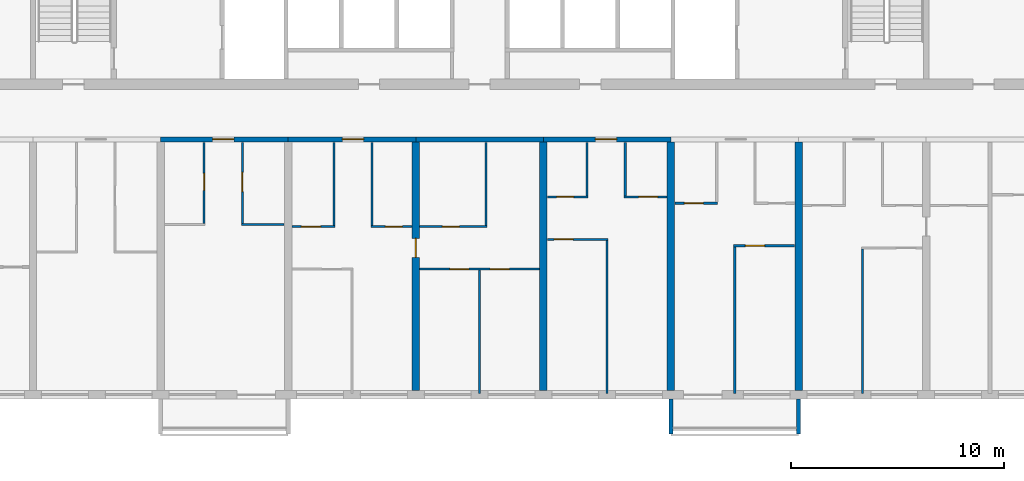
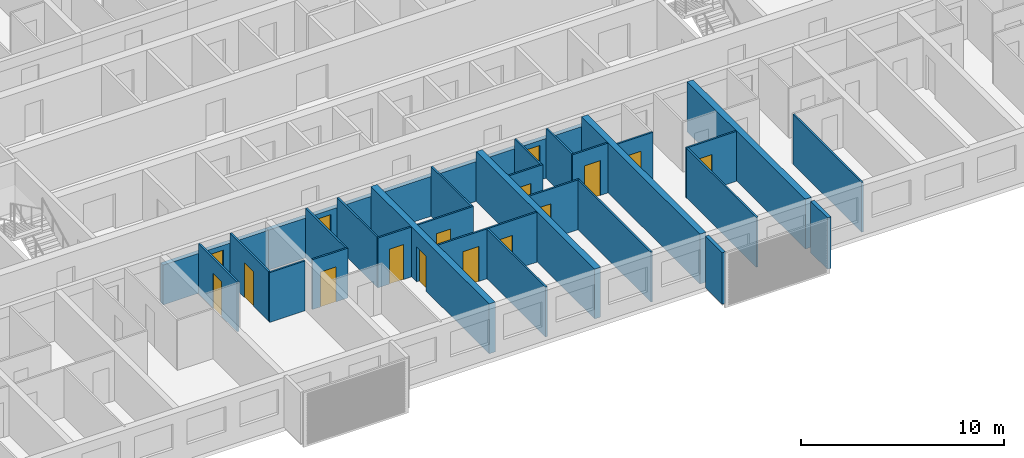
# One storey, part 5 of 24: 31 walls, 16 doors, 16 openings.
"""IFC4 building model written with IfcOpenShell, lengths in metres."""

from ifc_helpers import new_model, si_unit, direction, frame, frame_2d, origin, place, context, subcontext, project, spatial, polyline, rectangle, outline, extrude, source, transform, mapped, material, layer, layer_set, type_object, element, fill, save


model = new_model("IFC4")

# Units and contexts
model_context = context("Model", 3, precision=1e-05, world=origin(), true_north=direction((0.0, 1.0)))
body_context = subcontext(model_context, "Body", "Model", "MODEL_VIEW")
ifc_project = project(units=[si_unit("LENGTHUNIT", "METRE"), si_unit("AREAUNIT", "SQUARE_METRE"), si_unit("VOLUMEUNIT", "CUBIC_METRE"), si_unit("PLANEANGLEUNIT", "RADIAN"), si_unit("MASSUNIT", "GRAM", prefix="KILO")], contexts=[model_context])

# Site, building, storey
site_placement = place(None, origin())
site = spatial("IfcSite", under=ifc_project, at=site_placement, CompositionType="ELEMENT")
building_placement = place(site_placement, origin())
building = spatial("IfcBuilding", under=site, at=building_placement, Name="Poui Terraces", CompositionType="ELEMENT")
storey_placement = place(building_placement, frame((0.0, 0.0, 102.60009765625)))
storey = spatial("IfcBuildingStorey", under=building, at=storey_placement, Name="L28", CompositionType="ELEMENT", Elevation=102.60009765625)

# Wall, opening, door
ifc_material_1 = material(Name="Concrete 65 MPa", Category="concrete")
ifc_layer_1 = layer(ifc_material_1, 0.25)
ifc_layer_set_1 = layer_set([ifc_layer_1], Name="Concrete 65 MPa")
wall_type_1 = type_object("IfcWallType", Name="CORRIDOR WALL 250 65MPa", PredefinedType="SHEAR", material=ifc_layer_set_1)
wall_1_placement = place(storey_placement, frame((36.0, 12.0, 0.0), z_axis=(0.0, 0.0, 1.0), x_axis=(1.0, 0.0, 0.0)))
wall_1 = element("IfcWall", 1, at=wall_1_placement, inside=storey, type_object=wall_type_1, Name="CORRIDOR WALL LINE B BAY 6", PredefinedType="SHEAR", context=body_context, shape_type="SweptSolid", body=[
    extrude(rectangle(XDim=6.0, YDim=0.25, at=frame_2d((3.0, 0.0))), origin(), (0.0, 0.0, 1.0), 2.39990234375),
])
opening_1_placement = place(wall_1_placement, frame((2.449951171875, 0.0, 0.0)))
opening_1 = element("IfcOpeningElement", 2, at=opening_1_placement, cuts=wall_1, Name="Opening FD30S", PredefinedType="OPENING", context=body_context, shape_type="SweptSolid", body=[
    extrude(rectangle(XDim=1.0, YDim=2.10009765625, at=frame_2d((0.5, 1.050048828125))), frame((0.0, 0.135009765625, 0.0), z_axis=(0.0, -1.0, 0.0), x_axis=(1.0, 0.0, 0.0)), (0.0, 0.0, 1.0), 0.27001953125),
])
ifc_material_2 = material(Name="Steel fire door", Category="steel")
door_type_1 = type_object("IfcDoorType", Name="FLAT ENTRANCE DOOR 1000 X 2100", OperationType="NOTDEFINED", PredefinedType="DOOR", material=ifc_material_2)
door_1_placement = place(opening_1_placement, frame((1.0, 0.0, 0.0), z_axis=(0.0, 0.0, 1.0), x_axis=(-1.0, 0.0, 0.0)))
door_1 = element("IfcDoor", 3, at=door_1_placement, inside=storey, type_object=door_type_1, Name="FLAT ENTRANCE DOOR 097", OperationType="SINGLE_SWING_RIGHT", OverallHeight=2.10009765625, OverallWidth=1.0, PredefinedType="DOOR", context=body_context, shape_type="SweptSolid", body=[
    extrude(rectangle(XDim=1.0, YDim=2.10009765625, at=frame_2d((0.5, 1.050048828125))), frame((0.0, 0.02490234375, 0.0), z_axis=(0.0, -1.0, 0.0), x_axis=(1.0, 0.0, 0.0)), (0.0, 0.0, 1.0), 0.050048828125),
])
fill(opening_1, door_1)

wall_2_placement = place(storey_placement, frame((42.0, 12.0, 0.0), z_axis=(0.0, 0.0, 1.0), x_axis=(1.0, 0.0, 0.0)))
wall_2 = element("IfcWall", 4, at=wall_2_placement, inside=storey, type_object=wall_type_1, Name="CORRIDOR WALL LINE B BAY 7", PredefinedType="SHEAR", context=body_context, shape_type="SweptSolid", body=[
    extrude(rectangle(XDim=6.0, YDim=0.25, at=frame_2d((3.0, 0.0))), origin(), (0.0, 0.0, 1.0), 2.39990234375),
])
opening_2_placement = place(wall_2_placement, frame((2.550048828125, 0.0, 0.0)))
opening_2 = element("IfcOpeningElement", 5, at=opening_2_placement, cuts=wall_2, Name="Opening FD30S", PredefinedType="OPENING", context=body_context, shape_type="SweptSolid", body=[
    extrude(rectangle(XDim=1.0, YDim=2.10009765625, at=frame_2d((0.5, 1.050048828125))), frame((0.0, 0.135009765625, 0.0), z_axis=(0.0, -1.0, 0.0), x_axis=(1.0, 0.0, 0.0)), (0.0, 0.0, 1.0), 0.27001953125),
])
door_2_placement = place(opening_2_placement, frame((1.0, 0.0, 0.0), z_axis=(0.0, 0.0, 1.0), x_axis=(-1.0, 0.0, 0.0)))
door_2 = element("IfcDoor", 6, at=door_2_placement, inside=storey, type_object=door_type_1, Name="FLAT ENTRANCE DOOR 104", OperationType="SINGLE_SWING_LEFT", OverallHeight=2.10009765625, OverallWidth=1.0, PredefinedType="DOOR", context=body_context, shape_type="SweptSolid", body=[
    extrude(rectangle(XDim=1.0, YDim=2.10009765625, at=frame_2d((0.5, 1.050048828125))), frame((0.0, 0.02490234375, 0.0), z_axis=(0.0, -1.0, 0.0), x_axis=(1.0, 0.0, 0.0)), (0.0, 0.0, 1.0), 0.050048828125),
])
fill(opening_2, door_2)

# Wall
wall_3_placement = place(storey_placement, frame((48.0, 12.0, 0.0), z_axis=(0.0, 0.0, 1.0), x_axis=(1.0, 0.0, 0.0)))
element("IfcWall", 7, at=wall_3_placement, inside=storey, type_object=wall_type_1, Name="CORRIDOR WALL LINE B BAY 8", PredefinedType="SHEAR", context=body_context, shape_type="SweptSolid", body=[
    extrude(rectangle(XDim=6.0, YDim=0.25, at=frame_2d((3.0, 0.0))), origin(), (0.0, 0.0, 1.0), 2.39990234375),
])

# Wall, opening, door
wall_4_placement = place(storey_placement, frame((54.0, 12.0, 0.0), z_axis=(0.0, 0.0, 1.0), x_axis=(1.0, 0.0, 0.0)))
wall_4 = element("IfcWall", 8, at=wall_4_placement, inside=storey, type_object=wall_type_1, Name="CORRIDOR WALL LINE B BAY 9", PredefinedType="SHEAR", context=body_context, shape_type="SweptSolid", body=[
    extrude(rectangle(XDim=6.0, YDim=0.25, at=frame_2d((3.0, 0.0))), origin(), (0.0, 0.0, 1.0), 2.39990234375),
])
opening_3_placement = place(wall_4_placement, frame((2.449951171875, 0.0, 0.0)))
opening_3 = element("IfcOpeningElement", 9, at=opening_3_placement, cuts=wall_4, Name="Opening FD30S", PredefinedType="OPENING", context=body_context, shape_type="SweptSolid", body=[
    extrude(rectangle(XDim=1.0, YDim=2.10009765625, at=frame_2d((0.5, 1.050048828125))), frame((0.0, 0.135009765625, 0.0), z_axis=(0.0, -1.0, 0.0), x_axis=(1.0, 0.0, 0.0)), (0.0, 0.0, 1.0), 0.27001953125),
])
door_3_placement = place(opening_3_placement, frame((1.0, 0.0, 0.0), z_axis=(0.0, 0.0, 1.0), x_axis=(-1.0, 0.0, 0.0)))
door_3 = element("IfcDoor", 10, at=door_3_placement, inside=storey, type_object=door_type_1, Name="FLAT ENTRANCE DOOR 109", OperationType="SINGLE_SWING_RIGHT", OverallHeight=2.10009765625, OverallWidth=1.0, PredefinedType="DOOR", context=body_context, shape_type="SweptSolid", body=[
    extrude(rectangle(XDim=1.0, YDim=2.10009765625, at=frame_2d((0.5, 1.050048828125))), frame((0.0, 0.02490234375, 0.0), z_axis=(0.0, -1.0, 0.0), x_axis=(1.0, 0.0, 0.0)), (0.0, 0.0, 1.0), 0.050048828125),
])
fill(opening_3, door_3)

ifc_layer_2 = layer(ifc_material_1, 0.35009765625)
ifc_layer_set_2 = layer_set([ifc_layer_2], Name="Concrete 65 MPa")
wall_type_2 = type_object("IfcWallType", Name="CROSS WALL 350 65MPa", PredefinedType="SHEAR", material=ifc_layer_set_2)
wall_5_placement = place(storey_placement, frame((48.0, 0.199951171875, 0.0), z_axis=(0.0, 0.0, 1.0), x_axis=(0.0, 1.0, 0.0)))
wall_5 = element("IfcWall", 11, at=wall_5_placement, inside=storey, type_object=wall_type_2, Name="CROSS WALL LINE 9 SOUTH", PredefinedType="SHEAR", context=body_context, shape_type="SweptSolid", body=[
    extrude(rectangle(XDim=11.675048828125, YDim=0.35009765625, at=frame_2d((5.83740234375, 0.0))), origin(), (0.0, 0.0, 1.0), 3.0),
])
opening_4_placement = place(wall_5_placement, frame((6.25, 0.0, 0.0)))
opening_4 = element("IfcOpeningElement", 12, at=opening_4_placement, cuts=wall_5, Name="Opening D90", PredefinedType="OPENING", context=body_context, shape_type="SweptSolid", body=[
    extrude(rectangle(XDim=0.89990234375, YDim=2.10009765625, at=frame_2d((0.449951171875, 1.050048828125))), frame((0.0, 0.18505859375, 0.0), z_axis=(0.0, -1.0, 0.0), x_axis=(1.0, 0.0, 0.0)), (0.0, 0.0, 1.0), 0.3701171875),
])
ifc_material_3 = material(Name="Solid core timber door", Category="wood")
door_type_2 = type_object("IfcDoorType", Name="INTERNAL DOOR 900 X 2100", OperationType="NOTDEFINED", PredefinedType="DOOR", material=ifc_material_3)
door_4_placement = place(opening_4_placement, origin())
door_4 = element("IfcDoor", 13, at=door_4_placement, inside=storey, type_object=door_type_2, Name="INTERNAL DOOR 106", OperationType="SINGLE_SWING_RIGHT", OverallHeight=2.10009765625, OverallWidth=0.89990234375, PredefinedType="DOOR", context=body_context, shape_type="SweptSolid", body=[
    extrude(rectangle(XDim=0.89990234375, YDim=2.10009765625, at=frame_2d((0.449951171875, 1.050048828125))), frame((0.0, 0.02490234375, 0.0), z_axis=(0.0, -1.0, 0.0), x_axis=(1.0, 0.0, 0.0)), (0.0, 0.0, 1.0), 0.050048828125),
])
fill(opening_4, door_4)

# Walls
for number, where, z_axis, x_axis, name in (
    (14, (54.0, 0.199951171875, 0.0), (0.0, 0.0, 1.0), (0.0, 1.0, 0.0), "CROSS WALL LINE 10 SOUTH"),
    (15, (60.0, 0.199951171875, 0.0), (0.0, 0.0, 1.0), (0.0, 1.0, 0.0), "CROSS WALL LINE 11 SOUTH"),
    (16, (66.0, 0.199951171875, 0.0), (0.0, 0.0, 1.0), (0.0, 1.0, 0.0), "CROSS WALL LINE 12 SOUTH"),
):
    element("IfcWall", number, at=place(storey_placement, frame(where, z_axis=z_axis, x_axis=x_axis)), inside=storey, type_object=wall_type_2, Name=name, PredefinedType="SHEAR", context=body_context, shape_type="SweptSolid", body=[
        extrude(rectangle(XDim=11.675048828125, YDim=0.35009765625, at=frame_2d((5.83740234375, 0.0))), origin(), (0.0, 0.0, 1.0), 3.0),
    ])

# Wall, openings, doors
ifc_material_4 = material(Name="Plasterboard partition")
ifc_layer_3 = layer(ifc_material_4, 0.10009765625)
ifc_layer_set_3 = layer_set([ifc_layer_3], Name="Plasterboard partition")
wall_type_3 = type_object("IfcWallType", Name="FLAT PARTITION 100", PredefinedType="PARTITIONING", material=ifc_layer_set_3)
wall_6_placement = place(storey_placement, frame((48.18505859375, 5.89990234375, 0.0), z_axis=(0.0, 0.0, 1.0), x_axis=(1.0, 0.0, 0.0)))
wall_6 = element("IfcWall", 17, at=wall_6_placement, inside=storey, type_object=wall_type_3, Name="FLAT PARTITION 100", PredefinedType="PARTITIONING", context=body_context, shape_type="SweptSolid", body=[
    extrude(rectangle(XDim=5.6298828125, YDim=0.10009765625, at=frame_2d((2.81494140625, 0.0))), origin(), (0.0, 0.0, 1.0), 3.0),
])
opening_5_placement = place(wall_6_placement, frame((1.4150390625, 0.0, 0.0)))
opening_5 = element("IfcOpeningElement", 18, at=opening_5_placement, cuts=wall_6, Name="Opening D90", PredefinedType="OPENING", context=body_context, shape_type="SweptSolid", body=[
    extrude(rectangle(XDim=0.89990234375, YDim=2.10009765625, at=frame_2d((0.449951171875, 1.050048828125))), frame((0.0, 0.06005859375, 0.0), z_axis=(0.0, -1.0, 0.0), x_axis=(1.0, 0.0, 0.0)), (0.0, 0.0, 1.0), 0.1201171875),
])
opening_6_placement = place(wall_6_placement, frame((3.31494140625, 0.0, 0.0)))
opening_6 = element("IfcOpeningElement", 19, at=opening_6_placement, cuts=wall_6, Name="Opening D90", PredefinedType="OPENING", context=body_context, shape_type="SweptSolid", body=[
    extrude(rectangle(XDim=0.89990234375, YDim=2.10009765625, at=frame_2d((0.449951171875, 1.050048828125))), frame((0.0, 0.06005859375, 0.0), z_axis=(0.0, -1.0, 0.0), x_axis=(1.0, 0.0, 0.0)), (0.0, 0.0, 1.0), 0.1201171875),
])
door_5_placement = place(opening_5_placement, frame((0.89990234375, 0.0, 0.0), z_axis=(0.0, 0.0, 1.0), x_axis=(-1.0, 0.0, 0.0)))
door_5 = element("IfcDoor", 20, at=door_5_placement, inside=storey, type_object=door_type_2, Name="INTERNAL DOOR 100", OperationType="SINGLE_SWING_LEFT", OverallHeight=2.10009765625, OverallWidth=0.89990234375, PredefinedType="DOOR", context=body_context, shape_type="SweptSolid", body=[
    extrude(rectangle(XDim=0.89990234375, YDim=2.10009765625, at=frame_2d((0.449951171875, 1.050048828125))), frame((0.0, 0.02490234375, 0.0), z_axis=(0.0, -1.0, 0.0), x_axis=(1.0, 0.0, 0.0)), (0.0, 0.0, 1.0), 0.050048828125),
])
fill(opening_5, door_5)
door_6_placement = place(opening_6_placement, frame((0.89990234375, 0.0, 0.0), z_axis=(0.0, 0.0, 1.0), x_axis=(-1.0, 0.0, 0.0)))
door_6 = element("IfcDoor", 21, at=door_6_placement, inside=storey, type_object=door_type_2, Name="INTERNAL DOOR 101", OperationType="SINGLE_SWING_RIGHT", OverallHeight=2.10009765625, OverallWidth=0.89990234375, PredefinedType="DOOR", context=body_context, shape_type="SweptSolid", body=[
    extrude(rectangle(XDim=0.89990234375, YDim=2.10009765625, at=frame_2d((0.449951171875, 1.050048828125))), frame((0.0, 0.02490234375, 0.0), z_axis=(0.0, -1.0, 0.0), x_axis=(1.0, 0.0, 0.0)), (0.0, 0.0, 1.0), 0.050048828125),
])
fill(opening_6, door_6)

# Wall, opening, door
wall_7_placement = place(storey_placement, frame((62.949951171875, 7.0, 0.0), z_axis=(0.0, 0.0, 1.0), x_axis=(1.0, 0.0, 0.0)))
wall_7 = element("IfcWall", 22, at=wall_7_placement, inside=storey, type_object=wall_type_3, Name="FLAT PARTITION 100", PredefinedType="PARTITIONING", context=body_context, shape_type="SweptSolid", body=[
    extrude(rectangle(XDim=2.864990234375, YDim=0.10009765625, at=frame_2d((1.4326171875, 0.0))), origin(), (0.0, 0.0, 1.0), 3.0),
])
opening_7_placement = place(wall_7_placement, frame((0.550048828125, 0.0, 0.0)))
opening_7 = element("IfcOpeningElement", 23, at=opening_7_placement, cuts=wall_7, Name="Opening D90", PredefinedType="OPENING", context=body_context, shape_type="SweptSolid", body=[
    extrude(rectangle(XDim=0.89990234375, YDim=2.10009765625, at=frame_2d((0.449951171875, 1.050048828125))), frame((0.0, 0.06005859375, 0.0), z_axis=(0.0, -1.0, 0.0), x_axis=(1.0, 0.0, 0.0)), (0.0, 0.0, 1.0), 0.1201171875),
])
door_7_placement = place(opening_7_placement, origin())
door_7 = element("IfcDoor", 24, at=door_7_placement, inside=storey, type_object=door_type_2, Name="INTERNAL DOOR 113", OperationType="SINGLE_SWING_RIGHT", OverallHeight=2.10009765625, OverallWidth=0.89990234375, PredefinedType="DOOR", context=body_context, shape_type="SweptSolid", body=[
    extrude(rectangle(XDim=0.89990234375, YDim=2.10009765625, at=frame_2d((0.449951171875, 1.050048828125))), frame((0.0, 0.02490234375, 0.0), z_axis=(0.0, -1.0, 0.0), x_axis=(1.0, 0.0, 0.0)), (0.0, 0.0, 1.0), 0.050048828125),
])
fill(opening_7, door_7)

wall_8_placement = place(storey_placement, frame((54.18505859375, 7.300048828125, 0.0), z_axis=(0.0, 0.0, 1.0), x_axis=(1.0, 0.0, 0.0)))
wall_8 = element("IfcWall", 25, at=wall_8_placement, inside=storey, type_object=wall_type_3, Name="FLAT PARTITION 100", PredefinedType="PARTITIONING", context=body_context, shape_type="SweptSolid", body=[
    extrude(rectangle(XDim=2.864990234375, YDim=0.10009765625, at=frame_2d((1.4326171875, 0.0))), origin(), (0.0, 0.0, 1.0), 3.0),
])
opening_8_placement = place(wall_8_placement, frame((0.31494140625, 0.0, 0.0)))
opening_8 = element("IfcOpeningElement", 26, at=opening_8_placement, cuts=wall_8, Name="Opening D90", PredefinedType="OPENING", context=body_context, shape_type="SweptSolid", body=[
    extrude(rectangle(XDim=0.89990234375, YDim=2.10009765625, at=frame_2d((0.449951171875, 1.050048828125))), frame((0.0, 0.06005859375, 0.0), z_axis=(0.0, -1.0, 0.0), x_axis=(1.0, 0.0, 0.0)), (0.0, 0.0, 1.0), 0.1201171875),
])
door_8_placement = place(opening_8_placement, origin())
door_8 = element("IfcDoor", 27, at=door_8_placement, inside=storey, type_object=door_type_2, Name="INTERNAL DOOR 107", OperationType="SINGLE_SWING_RIGHT", OverallHeight=2.10009765625, OverallWidth=0.89990234375, PredefinedType="DOOR", context=body_context, shape_type="SweptSolid", body=[
    extrude(rectangle(XDim=0.89990234375, YDim=2.10009765625, at=frame_2d((0.449951171875, 1.050048828125))), frame((0.0, 0.02490234375, 0.0), z_axis=(0.0, -1.0, 0.0), x_axis=(1.0, 0.0, 0.0)), (0.0, 0.0, 1.0), 0.050048828125),
])
fill(opening_8, door_8)

wall_9_placement = place(storey_placement, frame((42.18505859375, 7.89990234375, 0.0), z_axis=(0.0, 0.0, 1.0), x_axis=(1.0, 0.0, 0.0)))
wall_9 = element("IfcWall", 28, at=wall_9_placement, inside=storey, type_object=wall_type_3, Name="FLAT PARTITION 100", PredefinedType="PARTITIONING", context=body_context, shape_type="SweptSolid", body=[
    extrude(rectangle(XDim=2.014892578125, YDim=0.10009765625, at=frame_2d((1.00732421875, 0.0))), origin(), (0.0, 0.0, 1.0), 3.0),
])
opening_9_placement = place(wall_9_placement, frame((0.43994140625, 0.0, 0.0)))
opening_9 = element("IfcOpeningElement", 29, at=opening_9_placement, cuts=wall_9, Name="Opening D90", PredefinedType="OPENING", context=body_context, shape_type="SweptSolid", body=[
    extrude(rectangle(XDim=0.89990234375, YDim=2.10009765625, at=frame_2d((0.449951171875, 1.050048828125))), frame((0.0, 0.06005859375, 0.0), z_axis=(0.0, -1.0, 0.0), x_axis=(1.0, 0.0, 0.0)), (0.0, 0.0, 1.0), 0.1201171875),
])
door_9_placement = place(opening_9_placement, origin())
door_9 = element("IfcDoor", 30, at=door_9_placement, inside=storey, type_object=door_type_2, Name="INTERNAL DOOR 102", OperationType="SINGLE_SWING_RIGHT", OverallHeight=2.10009765625, OverallWidth=0.89990234375, PredefinedType="DOOR", context=body_context, shape_type="SweptSolid", body=[
    extrude(rectangle(XDim=0.89990234375, YDim=2.10009765625, at=frame_2d((0.449951171875, 1.050048828125))), frame((0.0, 0.02490234375, 0.0), z_axis=(0.0, -1.0, 0.0), x_axis=(1.0, 0.0, 0.0)), (0.0, 0.0, 1.0), 0.050048828125),
])
fill(opening_9, door_9)

wall_10_placement = place(storey_placement, frame((45.89990234375, 7.89990234375, 0.0), z_axis=(0.0, 0.0, 1.0), x_axis=(1.0, 0.0, 0.0)))
wall_10 = element("IfcWall", 31, at=wall_10_placement, inside=storey, type_object=wall_type_3, Name="FLAT PARTITION 100", PredefinedType="PARTITIONING", context=body_context, shape_type="SweptSolid", body=[
    extrude(rectangle(XDim=1.9150390625, YDim=0.10009765625, at=frame_2d((0.95751953125, 0.0))), origin(), (0.0, 0.0, 1.0), 3.0),
])
opening_10_placement = place(wall_10_placement, frame((0.675048828125, 0.0, 0.0)))
opening_10 = element("IfcOpeningElement", 32, at=opening_10_placement, cuts=wall_10, Name="Opening D80", PredefinedType="OPENING", context=body_context, shape_type="SweptSolid", body=[
    extrude(rectangle(XDim=0.800048828125, YDim=2.10009765625, at=frame_2d((0.39990234375, 1.050048828125))), frame((0.0, 0.06005859375, 0.0), z_axis=(0.0, -1.0, 0.0), x_axis=(1.0, 0.0, 0.0)), (0.0, 0.0, 1.0), 0.1201171875),
])
door_type_3 = type_object("IfcDoorType", Name="BATHROOM, LAUNDRY AND STORE DOOR 800 X 2100", OperationType="NOTDEFINED", PredefinedType="DOOR", material=ifc_material_3)
door_10_placement = place(opening_10_placement, origin())
door_10 = element("IfcDoor", 33, at=door_10_placement, inside=storey, type_object=door_type_3, Name="BATHROOM, LAUNDRY AND STORE DOOR 105", OperationType="SINGLE_SWING_LEFT", OverallHeight=2.10009765625, OverallWidth=0.800048828125, PredefinedType="DOOR", context=body_context, shape_type="SweptSolid", body=[
    extrude(rectangle(XDim=0.800048828125, YDim=2.10009765625, at=frame_2d((0.39990234375, 1.050048828125))), frame((0.0, 0.02490234375, 0.0), z_axis=(0.0, -1.0, 0.0), x_axis=(1.0, 0.0, 0.0)), (0.0, 0.0, 1.0), 0.050048828125),
])
fill(opening_10, door_10)

wall_11_placement = place(storey_placement, frame((48.18505859375, 7.89990234375, 0.0), z_axis=(0.0, 0.0, 1.0), x_axis=(1.0, 0.0, 0.0)))
wall_11 = element("IfcWall", 34, at=wall_11_placement, inside=storey, type_object=wall_type_3, Name="FLAT PARTITION 100", PredefinedType="PARTITIONING", context=body_context, shape_type="SweptSolid", body=[
    extrude(rectangle(XDim=3.1650390625, YDim=0.10009765625, at=frame_2d((1.58251953125, 0.0))), origin(), (0.0, 0.0, 1.0), 3.0),
])
opening_11_placement = place(wall_11_placement, frame((1.06494140625, 0.0, 0.0)))
opening_11 = element("IfcOpeningElement", 35, at=opening_11_placement, cuts=wall_11, Name="Opening D80", PredefinedType="OPENING", context=body_context, shape_type="SweptSolid", body=[
    extrude(rectangle(XDim=0.800048828125, YDim=2.10009765625, at=frame_2d((0.39990234375, 1.050048828125))), frame((0.0, 0.06005859375, 0.0), z_axis=(0.0, -1.0, 0.0), x_axis=(1.0, 0.0, 0.0)), (0.0, 0.0, 1.0), 0.1201171875),
])
door_11_placement = place(opening_11_placement, frame((0.800048828125, 0.0, 0.0), z_axis=(0.0, 0.0, 1.0), x_axis=(-1.0, 0.0, 0.0)))
door_11 = element("IfcDoor", 36, at=door_11_placement, inside=storey, type_object=door_type_3, Name="BATHROOM, LAUNDRY AND STORE DOOR 099", OperationType="SINGLE_SWING_RIGHT", OverallHeight=2.10009765625, OverallWidth=0.800048828125, PredefinedType="DOOR", context=body_context, shape_type="SweptSolid", body=[
    extrude(rectangle(XDim=0.800048828125, YDim=2.10009765625, at=frame_2d((0.39990234375, 1.050048828125))), frame((0.0, 0.02490234375, 0.0), z_axis=(0.0, -1.0, 0.0), x_axis=(1.0, 0.0, 0.0)), (0.0, 0.0, 1.0), 0.050048828125),
])
fill(opening_11, door_11)

# Wall
wall_12_placement = place(storey_placement, frame((39.800048828125, 8.0, 0.0), z_axis=(0.0, 0.0, 1.0), x_axis=(1.0, 0.0, 0.0)))
element("IfcWall", 37, at=wall_12_placement, inside=storey, type_object=wall_type_3, Name="FLAT PARTITION 100", PredefinedType="PARTITIONING", context=body_context, shape_type="SweptSolid", body=[
    extrude(rectangle(XDim=2.014892578125, YDim=0.10009765625, at=frame_2d((1.00732421875, 0.0))), origin(), (0.0, 0.0, 1.0), 3.0),
])

# Wall, opening, door
wall_13_placement = place(storey_placement, frame((60.18505859375, 9.0, 0.0), z_axis=(0.0, 0.0, 1.0), x_axis=(1.0, 0.0, 0.0)))
wall_13 = element("IfcWall", 38, at=wall_13_placement, inside=storey, type_object=wall_type_3, Name="FLAT PARTITION 100", PredefinedType="PARTITIONING", context=body_context, shape_type="SweptSolid", body=[
    extrude(rectangle(XDim=2.014892578125, YDim=0.10009765625, at=frame_2d((1.00732421875, 0.0))), origin(), (0.0, 0.0, 1.0), 3.0),
])
opening_12_placement = place(wall_13_placement, frame((0.43994140625, 0.0, 0.0)))
opening_12 = element("IfcOpeningElement", 39, at=opening_12_placement, cuts=wall_13, Name="Opening D90", PredefinedType="OPENING", context=body_context, shape_type="SweptSolid", body=[
    extrude(rectangle(XDim=0.89990234375, YDim=2.10009765625, at=frame_2d((0.449951171875, 1.050048828125))), frame((0.0, 0.06005859375, 0.0), z_axis=(0.0, -1.0, 0.0), x_axis=(1.0, 0.0, 0.0)), (0.0, 0.0, 1.0), 0.1201171875),
])
door_12_placement = place(opening_12_placement, origin())
door_12 = element("IfcDoor", 40, at=door_12_placement, inside=storey, type_object=door_type_2, Name="INTERNAL DOOR 111", OperationType="SINGLE_SWING_RIGHT", OverallHeight=2.10009765625, OverallWidth=0.89990234375, PredefinedType="DOOR", context=body_context, shape_type="SweptSolid", body=[
    extrude(rectangle(XDim=0.89990234375, YDim=2.10009765625, at=frame_2d((0.449951171875, 1.050048828125))), frame((0.0, 0.02490234375, 0.0), z_axis=(0.0, -1.0, 0.0), x_axis=(1.0, 0.0, 0.0)), (0.0, 0.0, 1.0), 0.050048828125),
])
fill(opening_12, door_12)

wall_14_placement = place(storey_placement, frame((54.18505859375, 9.300048828125, 0.0), z_axis=(0.0, 0.0, 1.0), x_axis=(1.0, 0.0, 0.0)))
wall_14 = element("IfcWall", 41, at=wall_14_placement, inside=storey, type_object=wall_type_3, Name="FLAT PARTITION 100", PredefinedType="PARTITIONING", context=body_context, shape_type="SweptSolid", body=[
    extrude(rectangle(XDim=1.9150390625, YDim=0.10009765625, at=frame_2d((0.95751953125, 0.0))), origin(), (0.0, 0.0, 1.0), 3.0),
])
opening_13_placement = place(wall_14_placement, frame((0.43994140625, 0.0, 0.0)))
opening_13 = element("IfcOpeningElement", 42, at=opening_13_placement, cuts=wall_14, Name="Opening D80", PredefinedType="OPENING", context=body_context, shape_type="SweptSolid", body=[
    extrude(rectangle(XDim=0.800048828125, YDim=2.10009765625, at=frame_2d((0.39990234375, 1.050048828125))), frame((0.0, 0.06005859375, 0.0), z_axis=(0.0, -1.0, 0.0), x_axis=(1.0, 0.0, 0.0)), (0.0, 0.0, 1.0), 0.1201171875),
])
door_13_placement = place(opening_13_placement, origin())
door_13 = element("IfcDoor", 43, at=door_13_placement, inside=storey, type_object=door_type_3, Name="BATHROOM, LAUNDRY AND STORE DOOR 108", OperationType="SINGLE_SWING_LEFT", OverallHeight=2.10009765625, OverallWidth=0.800048828125, PredefinedType="DOOR", context=body_context, shape_type="SweptSolid", body=[
    extrude(rectangle(XDim=0.800048828125, YDim=2.10009765625, at=frame_2d((0.39990234375, 1.050048828125))), frame((0.0, 0.02490234375, 0.0), z_axis=(0.0, -1.0, 0.0), x_axis=(1.0, 0.0, 0.0)), (0.0, 0.0, 1.0), 0.050048828125),
])
fill(opening_13, door_13)

wall_15_placement = place(storey_placement, frame((57.800048828125, 9.300048828125, 0.0), z_axis=(0.0, 0.0, 1.0), x_axis=(1.0, 0.0, 0.0)))
wall_15 = element("IfcWall", 44, at=wall_15_placement, inside=storey, type_object=wall_type_3, Name="FLAT PARTITION 100", PredefinedType="PARTITIONING", context=body_context, shape_type="SweptSolid", body=[
    extrude(rectangle(XDim=2.014892578125, YDim=0.10009765625, at=frame_2d((1.00732421875, 0.0))), origin(), (0.0, 0.0, 1.0), 3.0),
])
opening_14_placement = place(wall_15_placement, frame((0.675048828125, 0.0, 0.0)))
opening_14 = element("IfcOpeningElement", 45, at=opening_14_placement, cuts=wall_15, Name="Opening D90", PredefinedType="OPENING", context=body_context, shape_type="SweptSolid", body=[
    extrude(rectangle(XDim=0.89990234375, YDim=2.10009765625, at=frame_2d((0.449951171875, 1.050048828125))), frame((0.0, 0.06005859375, 0.0), z_axis=(0.0, -1.0, 0.0), x_axis=(1.0, 0.0, 0.0)), (0.0, 0.0, 1.0), 0.1201171875),
])
door_14_placement = place(opening_14_placement, origin())
door_14 = element("IfcDoor", 46, at=door_14_placement, inside=storey, type_object=door_type_2, Name="INTERNAL DOOR 110", OperationType="SINGLE_SWING_RIGHT", OverallHeight=2.10009765625, OverallWidth=0.89990234375, PredefinedType="DOOR", context=body_context, shape_type="SweptSolid", body=[
    extrude(rectangle(XDim=0.89990234375, YDim=2.10009765625, at=frame_2d((0.449951171875, 1.050048828125))), frame((0.0, 0.02490234375, 0.0), z_axis=(0.0, -1.0, 0.0), x_axis=(1.0, 0.0, 0.0)), (0.0, 0.0, 1.0), 0.050048828125),
])
fill(opening_14, door_14)

wall_16_placement = place(storey_placement, frame((38.050048828125, 8.050048828125, 0.0), z_axis=(0.0, 0.0, 1.0), x_axis=(0.0, 1.0, 0.0)))
wall_16 = element("IfcWall", 47, at=wall_16_placement, inside=storey, type_object=wall_type_3, Name="FLAT PARTITION 100", PredefinedType="PARTITIONING", context=body_context, shape_type="SweptSolid", body=[
    extrude(rectangle(XDim=3.81494140625, YDim=0.10009765625, at=frame_2d((1.907470703125, 0.0))), origin(), (0.0, 0.0, 1.0), 3.0),
])
opening_15_placement = place(wall_16_placement, frame((1.550048828125, 0.0, 0.0)))
opening_15 = element("IfcOpeningElement", 48, at=opening_15_placement, cuts=wall_16, Name="Opening D80", PredefinedType="OPENING", context=body_context, shape_type="SweptSolid", body=[
    extrude(rectangle(XDim=0.800048828125, YDim=2.10009765625, at=frame_2d((0.39990234375, 1.050048828125))), frame((0.0, 0.06005859375, 0.0), z_axis=(0.0, -1.0, 0.0), x_axis=(1.0, 0.0, 0.0)), (0.0, 0.0, 1.0), 0.1201171875),
])
door_15_placement = place(opening_15_placement, origin())
door_15 = element("IfcDoor", 49, at=door_15_placement, inside=storey, type_object=door_type_3, Name="BATHROOM, LAUNDRY AND STORE DOOR 096", OperationType="SINGLE_SWING_RIGHT", OverallHeight=2.10009765625, OverallWidth=0.800048828125, PredefinedType="DOOR", context=body_context, shape_type="SweptSolid", body=[
    extrude(rectangle(XDim=0.800048828125, YDim=2.10009765625, at=frame_2d((0.39990234375, 1.050048828125))), frame((0.0, 0.02490234375, 0.0), z_axis=(0.0, -1.0, 0.0), x_axis=(1.0, 0.0, 0.0)), (0.0, 0.0, 1.0), 0.050048828125),
])
fill(opening_15, door_15)

wall_17_placement = place(storey_placement, frame((39.85009765625, 8.050048828125, 0.0), z_axis=(0.0, 0.0, 1.0), x_axis=(0.0, 1.0, 0.0)))
wall_17 = element("IfcWall", 50, at=wall_17_placement, inside=storey, type_object=wall_type_3, Name="FLAT PARTITION 100", PredefinedType="PARTITIONING", context=body_context, shape_type="SweptSolid", body=[
    extrude(rectangle(XDim=3.81494140625, YDim=0.10009765625, at=frame_2d((1.907470703125, 0.0))), origin(), (0.0, 0.0, 1.0), 3.0),
])
opening_16_placement = place(wall_17_placement, frame((1.5, 0.0, 0.0)))
opening_16 = element("IfcOpeningElement", 51, at=opening_16_placement, cuts=wall_17, Name="Opening D90", PredefinedType="OPENING", context=body_context, shape_type="SweptSolid", body=[
    extrude(rectangle(XDim=0.89990234375, YDim=2.10009765625, at=frame_2d((0.449951171875, 1.050048828125))), frame((0.0, 0.06005859375, 0.0), z_axis=(0.0, -1.0, 0.0), x_axis=(1.0, 0.0, 0.0)), (0.0, 0.0, 1.0), 0.1201171875),
])
door_16_placement = place(opening_16_placement, frame((0.89990234375, 0.0, 0.0), z_axis=(0.0, 0.0, 1.0), x_axis=(-1.0, 0.0, 0.0)))
door_16 = element("IfcDoor", 52, at=door_16_placement, inside=storey, type_object=door_type_2, Name="INTERNAL DOOR 098", OperationType="SINGLE_SWING_RIGHT", OverallHeight=2.10009765625, OverallWidth=0.89990234375, PredefinedType="DOOR", context=body_context, shape_type="SweptSolid", body=[
    extrude(rectangle(XDim=0.89990234375, YDim=2.10009765625, at=frame_2d((0.449951171875, 1.050048828125))), frame((0.0, 0.02490234375, 0.0), z_axis=(0.0, -1.0, 0.0), x_axis=(1.0, 0.0, 0.0)), (0.0, 0.0, 1.0), 0.050048828125),
])
fill(opening_16, door_16)

# Walls
for number, where, z_axis, x_axis, name in (
    (53, (44.14990234375, 7.949951171875, 0.0), (0.0, 0.0, 1.0), (0.0, 1.0, 0.0), "FLAT PARTITION 100"),
    (54, (45.949951171875, 7.949951171875, 0.0), (0.0, 0.0, 1.0), (0.0, 1.0, 0.0), "FLAT PARTITION 100"),
):
    element("IfcWall", number, at=place(storey_placement, frame(where, z_axis=z_axis, x_axis=x_axis)), inside=storey, type_object=wall_type_3, Name=name, PredefinedType="PARTITIONING", context=body_context, shape_type="SweptSolid", body=[
        extrude(rectangle(XDim=3.9150390625, YDim=0.10009765625, at=frame_2d((1.95751953125, 0.0))), origin(), (0.0, 0.0, 1.0), 3.0),
    ])
wall_18_placement = place(storey_placement, frame((51.0, 0.06005859375, 0.0), z_axis=(0.0, 0.0, 1.0), x_axis=(0.0, 1.0, 0.0)))
element("IfcWall", 55, at=wall_18_placement, inside=storey, type_object=wall_type_3, Name="FLAT PARTITION 100", PredefinedType="PARTITIONING", context=body_context, shape_type="SweptSolid", body=[
    extrude(rectangle(XDim=5.7900390625, YDim=0.10009765625, at=frame_2d((2.89501953125, 0.0))), origin(), (0.0, 0.0, 1.0), 3.0),
])
wall_19_placement = place(storey_placement, frame((51.300048828125, 7.949951171875, 0.0), z_axis=(0.0, 0.0, 1.0), x_axis=(0.0, 1.0, 0.0)))
element("IfcWall", 56, at=wall_19_placement, inside=storey, type_object=wall_type_3, Name="FLAT PARTITION 100", PredefinedType="PARTITIONING", context=body_context, shape_type="SweptSolid", body=[
    extrude(rectangle(XDim=3.9150390625, YDim=0.10009765625, at=frame_2d((1.95751953125, 0.0))), origin(), (0.0, 0.0, 1.0), 3.0),
])
wall_20_placement = place(storey_placement, frame((56.050048828125, 9.35009765625, 0.0), z_axis=(0.0, 0.0, 1.0), x_axis=(0.0, 1.0, 0.0)))
element("IfcWall", 57, at=wall_20_placement, inside=storey, type_object=wall_type_3, Name="FLAT PARTITION 100", PredefinedType="PARTITIONING", context=body_context, shape_type="SweptSolid", body=[
    extrude(rectangle(XDim=2.514892578125, YDim=0.10009765625, at=frame_2d((1.25732421875, 0.0))), origin(), (0.0, 0.0, 1.0), 3.0),
])
wall_21_placement = place(storey_placement, frame((57.0, 0.06005859375, 0.0), z_axis=(0.0, 0.0, 1.0), x_axis=(0.0, 1.0, 0.0)))
element("IfcWall", 58, at=wall_21_placement, inside=storey, type_object=wall_type_3, Name="FLAT PARTITION 100", PredefinedType="PARTITIONING", context=body_context, shape_type="SweptSolid", body=[
    extrude(rectangle(XDim=7.18994140625, YDim=0.10009765625, at=frame_2d((3.594970703125, 0.0))), origin(), (0.0, 0.0, 1.0), 3.0),
])
wall_22_placement = place(storey_placement, frame((57.85009765625, 9.35009765625, 0.0), z_axis=(0.0, 0.0, 1.0), x_axis=(0.0, 1.0, 0.0)))
element("IfcWall", 59, at=wall_22_placement, inside=storey, type_object=wall_type_3, Name="FLAT PARTITION 100", PredefinedType="PARTITIONING", context=body_context, shape_type="SweptSolid", body=[
    extrude(rectangle(XDim=2.514892578125, YDim=0.10009765625, at=frame_2d((1.25732421875, 0.0))), origin(), (0.0, 0.0, 1.0), 3.0),
])
wall_23_placement = place(storey_placement, frame((63.0, 0.06005859375, 0.0), z_axis=(0.0, 0.0, 1.0), x_axis=(0.0, 1.0, 0.0)))
element("IfcWall", 60, at=wall_23_placement, inside=storey, type_object=wall_type_3, Name="FLAT PARTITION 100", PredefinedType="PARTITIONING", context=body_context, shape_type="SweptSolid", body=[
    extrude(rectangle(XDim=6.889892578125, YDim=0.10009765625, at=frame_2d((3.44482421875, 0.0))), origin(), (0.0, 0.0, 1.0), 3.0),
])
wall_24_placement = place(storey_placement, frame((69.0, 0.06005859375, 0.0), z_axis=(0.0, 0.0, 1.0), x_axis=(0.0, 1.0, 0.0)))
element("IfcWall", 61, at=wall_24_placement, inside=storey, type_object=wall_type_3, Name="FLAT PARTITION 100", PredefinedType="PARTITIONING", context=body_context, shape_type="SweptSolid", body=[
    extrude(rectangle(XDim=6.7900390625, YDim=0.10009765625, at=frame_2d((3.39501953125, 0.0))), origin(), (0.0, 0.0, 1.0), 3.0),
])
ifc_material_5 = material(Name="Precast concrete 40 MPa", Category="concrete")
ifc_layer_4 = layer(ifc_material_5, 0.199951171875)
ifc_layer_set_4 = layer_set([ifc_layer_4], Name="Precast concrete 40 MPa")
wall_type_4 = type_object("IfcWallType", Name="REAR FIN 200", PredefinedType="STANDARD", material=ifc_layer_set_4)
shared_shape = source(origin(), body_context, "Body", "SweptSolid", [
    extrude(outline(polyline([(0.0, 0.0), (0.2001953125, 0.0), (0.2001953125, 1.650146484375), (0.0, 1.650146484375), (0.0, 0.0)])), origin(), (0.0, 0.0, 1.0), 3.099853515625),
])
for number, where, name in (
    (62, (59.89990234375, -1.85009765625, 0.0), "REAR FIN"),
    (63, (65.89990234375, -1.85009765625, 0.0), "REAR FIN"),
):
    element("IfcWall", number, at=place(storey_placement, frame(where)), inside=storey, type_object=wall_type_4, Name=name, PredefinedType="STANDARD", context=body_context, shape_type="MappedRepresentation", body=[
        mapped(shared_shape, transform((0.0, 0.0, 0.0))),
    ])

save(model, "model.ifc")
